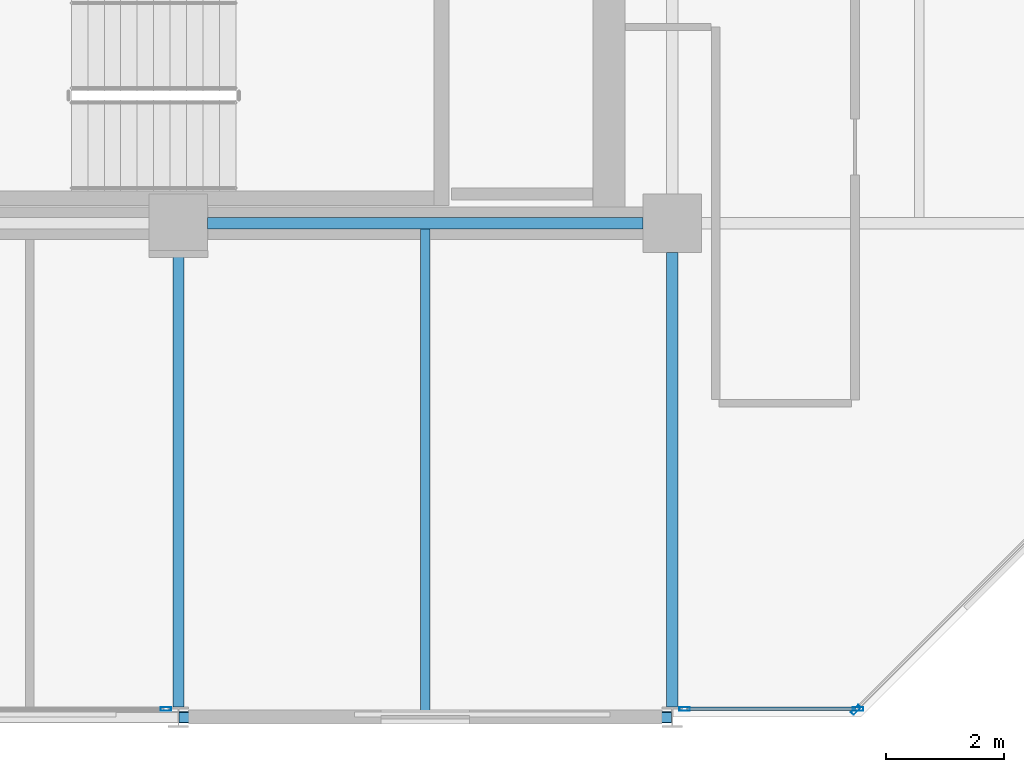
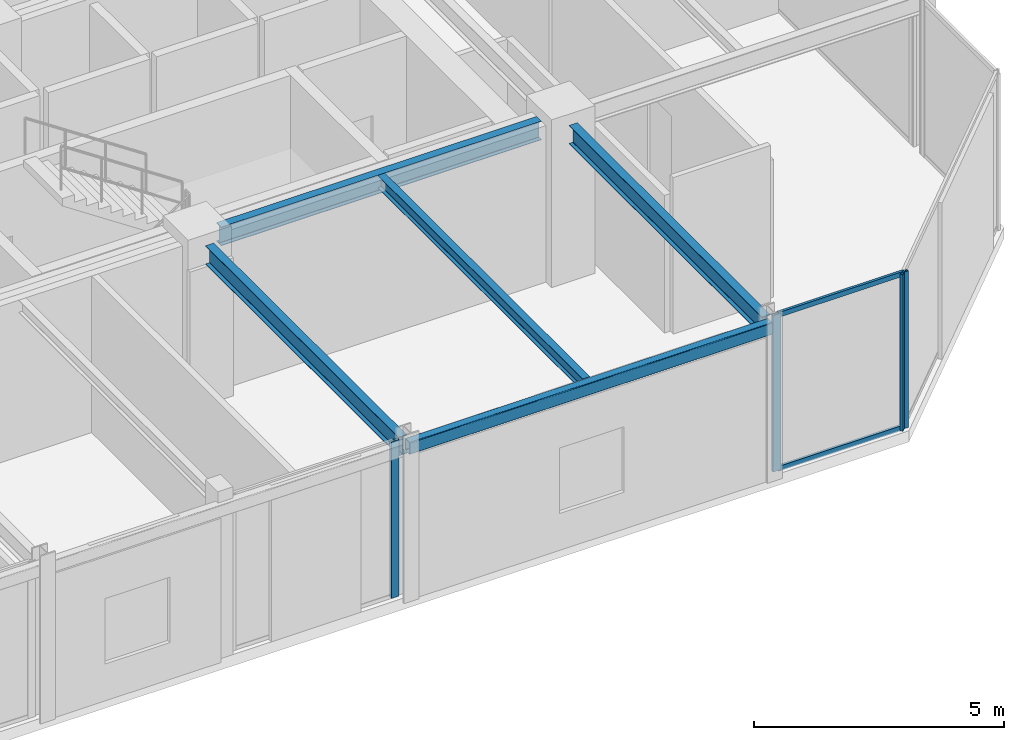
# One storey, part 11 of 29: 6 members, 5 beams, 3 elements without a shape of their own.
"""IFC4 building model written with IfcOpenShell, lengths in metres."""

import ifcopenshell
import ifcopenshell.guid

model = None  # the IFC model being written
_history = None  # IfcOwnerHistory: only IFC2X3 demands one
_inside = {}  # id of a spatial element -> (the spatial element, [elements in it])
_under = {}  # id of a project, library or spatial element -> (it, [spatial elements below it])
_declared = {}  # id of a project -> (the project, [libraries it declares])
_typed = {}  # id of a type object -> (the type object, [elements of that type])
_made_of = {}  # id of a material, layer set ... -> (it, [elements and type objects made of it])


def new_model(schema):
    """Start an empty IFC model of exactly this schema.

    Asked for "IFC4X3", IfcOpenShell would pick the latest addendum, in which some entities
    have other attributes; the version numbers below select the first issue.
    IFC2X3 requires an IfcOwnerHistory on every rooted entity: one is made here for all.
    """
    global model, _history
    if schema == "IFC4X3":
        model = ifcopenshell.file(schema_version=(4, 3, 0, 0))
    else:
        model = ifcopenshell.file(schema=schema)
    _inside.clear()
    _under.clear()
    _declared.clear()
    _typed.clear()
    _made_of.clear()
    _history = None
    if model.schema == "IFC2X3":
        org = make("IfcOrganization", Name="unknown")
        user = make(
            "IfcPersonAndOrganization",
            ThePerson=make("IfcPerson", FamilyName="unknown"),
            TheOrganization=org,
        )
        app = make(
            "IfcApplication",
            ApplicationDeveloper=org,
            Version="unknown",
            ApplicationFullName="unknown",
            ApplicationIdentifier="unknown",
        )
        _history = make(
            "IfcOwnerHistory",
            OwningUser=user,
            OwningApplication=app,
            ChangeAction="ADDED",
            CreationDate=0,
        )
    return model


def make(cls, **values):
    """One entity of the class cls with the attributes given. An attribute that is None is left unset."""
    return model.create_entity(
        cls, **{name: value for name, value in values.items() if value is not None}
    )


def rooted(cls, **values):
    """An entity with a GlobalId (a new one), such as an element, a storey or a relation."""
    return make(cls, GlobalId=ifcopenshell.guid.new(), OwnerHistory=_history, **values)


def si_unit(unit_type, name, prefix=None):
    """IfcSIUnit, for example si_unit("LENGTHUNIT", "METRE", prefix="MILLI")."""
    return make("IfcSIUnit", UnitType=unit_type, Prefix=prefix, Name=name)


def assignment(units):
    """IfcUnitAssignment: the units of a project."""
    return None if units is None else make("IfcUnitAssignment", Units=units)


def point(xyz):
    """IfcCartesianPoint."""
    return None if xyz is None else make("IfcCartesianPoint", Coordinates=xyz)


def direction(xyz):
    """IfcDirection."""
    return None if xyz is None else make("IfcDirection", DirectionRatios=xyz)


def frame(location, z_axis=None, x_axis=None):
    """IfcAxis2Placement3D, a coordinate frame: its origin and axes. An axis left out is left unset."""
    return make(
        "IfcAxis2Placement3D",
        Location=point(location),
        Axis=direction(z_axis),
        RefDirection=direction(x_axis),
    )


def frame_2d(location, x_axis=None):
    """IfcAxis2Placement2D, a coordinate frame in the plane: its origin and x axis."""
    return make(
        "IfcAxis2Placement2D", Location=point(location), RefDirection=direction(x_axis)
    )


def origin():
    """The frame at (0, 0, 0) with its axes left unset."""
    return frame((0.0, 0.0, 0.0))


def origin_2d():
    """The frame at (0, 0) in the plane with its x axis left unset."""
    return frame_2d((0.0, 0.0))


def place(relative_to, where):
    """IfcLocalPlacement: puts the frame where relative to a parent placement (None: the world)."""
    return make(
        "IfcLocalPlacement", PlacementRelTo=relative_to, RelativePlacement=where
    )


def context(
    kind, dimensions, precision=None, world=None, true_north=None, identifier=None
):
    """IfcGeometricRepresentationContext, for example the 3D "Model" context."""
    return make(
        "IfcGeometricRepresentationContext",
        ContextIdentifier=identifier,
        ContextType=kind,
        CoordinateSpaceDimension=dimensions,
        Precision=precision,
        WorldCoordinateSystem=world,
        TrueNorth=true_north,
    )


def subcontext(parent, identifier, kind, view, scale=None):
    """IfcGeometricRepresentationSubContext, for example "Body" below "Model"."""
    return make(
        "IfcGeometricRepresentationSubContext",
        ContextIdentifier=identifier,
        ContextType=kind,
        ParentContext=parent,
        TargetScale=scale,
        TargetView=view,
    )


def project(units=None, contexts=None):
    """IfcProject with its units and contexts."""
    return rooted(
        "IfcProject",
        Name="project",
        RepresentationContexts=contexts,
        UnitsInContext=assignment(units),
    )


def spatial(cls, under=None, at=None, **own):
    """A site, building, storey or space (cls), placed at a placement, below another one or the project."""
    s = rooted(cls, ObjectPlacement=at, **own)
    if under is not None:
        _under.setdefault(under.id(), (under, []))[1].append(s)
    return s


def profile(cls, at=None, kind="AREA", **sizes):
    """A parametric profile (cls). Its sizes go by their IFC names, for example OverallWidth=200.0."""
    return make(cls, ProfileType=kind, Position=at, **sizes)


def hollow_rectangle(**sizes):
    """IfcRectangleHollowProfileDef."""
    return profile("IfcRectangleHollowProfileDef", **sizes)


def i_section(**sizes):
    """IfcIShapeProfileDef."""
    return profile("IfcIShapeProfileDef", **sizes)


def extrude(swept, where, along, depth):
    """IfcExtrudedAreaSolid: the profile swept, set in the frame where, extruded along a direction by depth."""
    return make(
        "IfcExtrudedAreaSolid",
        SweptArea=swept,
        Position=where,
        ExtrudedDirection=direction(along),
        Depth=depth,
    )


def shape(context_of_items, identifier, shape_type, items):
    """IfcShapeRepresentation: the items that make up one representation, for example the "Body"."""
    return make(
        "IfcShapeRepresentation",
        ContextOfItems=context_of_items,
        RepresentationIdentifier=identifier,
        RepresentationType=shape_type,
        Items=items,
    )


def material(Name=None, Category=None):
    """IfcMaterial."""
    return make("IfcMaterial", Name=Name, Category=Category)


def layer(
    of_material, thickness, ventilated=None, Name=None, Category=None, Priority=None
):
    """IfcMaterialLayer: one layer of a wall or slab, of a material (None: an air gap)."""
    return make(
        "IfcMaterialLayer",
        Material=of_material,
        LayerThickness=thickness,
        IsVentilated=ventilated,
        Name=Name,
        Category=Category,
        Priority=Priority,
    )


def layer_set(layers, Name=None):
    """IfcMaterialLayerSet."""
    return make("IfcMaterialLayerSet", MaterialLayers=layers, LayerSetName=Name)


def material_profile(
    of_material, cross_section, Name=None, Category=None, Priority=None
):
    """IfcMaterialProfile: a cross section and its material."""
    return make(
        "IfcMaterialProfile",
        Name=Name,
        Material=of_material,
        Profile=cross_section,
        Priority=Priority,
        Category=Category,
    )


def profile_set(profiles, Name=None, composite=None):
    """IfcMaterialProfileSet."""
    return make(
        "IfcMaterialProfileSet",
        Name=Name,
        MaterialProfiles=profiles,
        CompositeProfile=composite,
    )


def made_of(thing, what):
    """Note that an element or type object is made of a material, layer set ...; save() writes the relation."""
    if what is not None:
        _made_of.setdefault(what.id(), (what, []))[1].append(thing)
    return thing


def type_object(cls, material=None, **own):
    """A type object (cls), such as IfcWallType, which elements share."""
    return made_of(rooted(cls, **own), material)


def element(
    cls,
    number,
    at=None,
    inside=None,
    cuts=None,
    type_object=None,
    material=None,
    context=None,
    identifier="Body",
    shape_type=None,
    held_by="IfcProductDefinitionShape",
    body=None,
    shapes=None,
    **own,
):
    """One element of the class cls, such as IfcWall. Its Tag is "e" and its number.

    at: its placement. inside: the storey or other place that contains it. cuts: it is an
    opening in that element (IfcRelVoidsElement). A single representation is given by context,
    identifier, shape_type and body (its items); several are given by shapes. held_by: the class
    of the entity that holds the representations. save() writes the other relations.
    """
    e = rooted(cls, Tag="e%d" % number, ObjectPlacement=at, **own)
    if body is not None:
        shapes = [shape(context, identifier, shape_type, body)]
    if shapes is not None:
        e.Representation = make(held_by, Representations=shapes)
    if inside is not None:
        _inside.setdefault(inside.id(), (inside, []))[1].append(e)
    if cuts is not None:
        rooted(
            "IfcRelVoidsElement", RelatingBuildingElement=cuts, RelatedOpeningElement=e
        )
    if type_object is not None:
        _typed.setdefault(type_object.id(), (type_object, []))[1].append(e)
    return made_of(e, material)


def aggregate(whole, parts):
    """IfcRelAggregates: a whole, such as a stair, and the parts it consists of."""
    return rooted("IfcRelAggregates", RelatingObject=whole, RelatedObjects=parts)


def save(model, path):
    """Write the relations noted so far, then the file.

    IfcRelAggregates (storeys below a building ...), IfcRelContainedInSpatialStructure (elements
    in a storey), IfcRelDefinesByType, IfcRelAssociatesMaterial and IfcRelDeclares: one each for
    every whole, place, type object, material and project.
    """
    for whole, parts in _under.values():
        aggregate(whole, parts)
    for where, things in _inside.values():
        rooted(
            "IfcRelContainedInSpatialStructure",
            RelatedElements=things,
            RelatingStructure=where,
        )
    for kind, things in _typed.values():
        rooted("IfcRelDefinesByType", RelatedObjects=things, RelatingType=kind)
    for what, things in _made_of.values():
        rooted("IfcRelAssociatesMaterial", RelatedObjects=things, RelatingMaterial=what)
    for by, libraries in _declared.values():
        rooted("IfcRelDeclares", RelatingContext=by, RelatedDefinitions=libraries)
    model.write(path)


model = new_model("IFC4")

# Units and contexts
model_context = context("Model", 3, precision=1e-05, world=origin(), true_north=direction((0.0, 1.0)))
body_context = subcontext(model_context, "Body", "Model", "MODEL_VIEW")
ifc_project = project(units=[si_unit("LENGTHUNIT", "METRE"), si_unit("AREAUNIT", "SQUARE_METRE"), si_unit("VOLUMEUNIT", "CUBIC_METRE"), si_unit("PLANEANGLEUNIT", "RADIAN"), si_unit("MASSUNIT", "GRAM", prefix="KILO")], contexts=[model_context])

# Site, building, storey
site_placement = place(None, origin())
site = spatial("IfcSite", under=ifc_project, at=site_placement, CompositionType="ELEMENT")
building_placement = place(site_placement, origin())
building = spatial("IfcBuilding", under=site, at=building_placement, Name="Nerrivon Quay Data Exchange", CompositionType="ELEMENT")
storey_placement = place(building_placement, frame((0.0, 0.0, 208.300048828125)))
storey = spatial("IfcBuildingStorey", under=building, at=storey_placement, Name="L49", CompositionType="ELEMENT", Elevation=208.300048828125)

# Beams
ifc_material_1 = material(Name="Steel Grade 350", Category="steel")
ifc_material_profile_1 = material_profile(ifc_material_1, i_section(OverallWidth=0.19091796875, OverallDepth=0.4599609375, WebThickness=0.010009765625, FlangeThickness=0.01611328125, FilletRadius=0.011474609375, at=origin_2d()), Name="460UB82.1")
ifc_profile_set_1 = profile_set([ifc_material_profile_1], Name="Steel Grade 350")
beam_type_1 = type_object("IfcBeamType", Name="BM-G5-460UB82", PredefinedType="BEAM", material=ifc_profile_set_1)
beam_1_placement = place(storey_placement, frame((25.699951171875, 8.39990234375, 3.594970703125), z_axis=(1.0, 0.0, 0.0), x_axis=(0.0, 1.0, 0.0)))
element("IfcBeam", 1, at=beam_1_placement, inside=storey, type_object=beam_type_1, Name="L49 EW Girder Y=8.4 (25.2..33.6)", PredefinedType="BEAM", context=body_context, shape_type="SweptSolid", body=[
    extrude(i_section(OverallWidth=0.19091796875, OverallDepth=0.4599609375, WebThickness=0.010009765625, FlangeThickness=0.01611328125, FilletRadius=0.011474609375, at=origin_2d()), origin(), (0.0, 0.0, 1.0), 7.400146484375),
])
ifc_material_profile_2 = material_profile(ifc_material_1, i_section(OverallWidth=0.18994140625, OverallDepth=0.4541015625, WebThickness=0.008544921875, FlangeThickness=0.0126953125, FilletRadius=0.011474609375, at=origin_2d()), Name="460UB67.1")
ifc_profile_set_2 = profile_set([ifc_material_profile_2], Name="Steel Grade 350")
beam_type_2 = type_object("IfcBeamType", Name="BM-G6-460UB67", PredefinedType="BEAM", material=ifc_profile_set_2)
for number, where, z_axis, x_axis, name in (
    (2, (25.199951171875, 0.175048828125, 3.597900390625), (0.0, 1.0, 0.0), (-1.0, 0.0, 0.0), "L49 NS Girder X=25.2 (0.0..8.4)"),
    (3, (33.60009765625, 0.175048828125, 3.597900390625), (0.0, 1.0, 0.0), (-1.0, 0.0, 0.0), "L49 NS Girder X=33.6 (0.0..8.4)"),
):
    element("IfcBeam", number, at=place(storey_placement, frame(where, z_axis=z_axis, x_axis=x_axis)), inside=storey, type_object=beam_type_2, Name=name, PredefinedType="BEAM", context=body_context, shape_type="SweptSolid", body=[
        extrude(i_section(OverallWidth=0.18994140625, OverallDepth=0.4541015625, WebThickness=0.008544921875, FlangeThickness=0.0126953125, FilletRadius=0.011474609375, at=origin_2d()), origin(), (0.0, 0.0, 1.0), 7.724853515625),
    ])
ifc_material_profile_3 = material_profile(ifc_material_1, i_section(OverallWidth=0.166015625, OverallDepth=0.306884765625, WebThickness=0.006591796875, FlangeThickness=0.01171875, FilletRadius=0.011474609375, at=origin_2d()), Name="310UB46.2")
ifc_profile_set_3 = profile_set([ifc_material_profile_3], Name="Steel Grade 350")
beam_type_3 = type_object("IfcBeamType", Name="BM-J5-310UB46", PredefinedType="JOIST", material=ifc_profile_set_3)
beam_2_placement = place(storey_placement, frame((29.39990234375, 0.10009765625, 3.67138671875), z_axis=(0.0, 1.0, 0.0), x_axis=(-1.0, 0.0, 0.0)))
element("IfcBeam", 4, at=beam_2_placement, inside=storey, type_object=beam_type_3, Name="L49 Secondary Joist X=29.4 (0.0..8.4)", PredefinedType="JOIST", context=body_context, shape_type="SweptSolid", body=[
    extrude(i_section(OverallWidth=0.166015625, OverallDepth=0.306884765625, WebThickness=0.006591796875, FlangeThickness=0.01171875, FilletRadius=0.011474609375, at=origin_2d()), origin(), (0.0, 0.0, 1.0), 8.204345703125),
])
ifc_material_2 = material(Name="Steel Grade C350L0 (350 MPa)", Category="steel")
ifc_material_profile_4 = material_profile(ifc_material_2, hollow_rectangle(XDim=0.199951171875, YDim=0.300048828125, WallThickness=0.012451171875, InnerFilletRadius=0.018798828125, OuterFilletRadius=0.03125, at=origin_2d()), Name="300x200x12.5RHS")
ifc_profile_set_4 = profile_set([ifc_material_profile_4], Name="Steel Grade C350L0 (350 MPa)")
beam_type_4 = type_object("IfcBeamType", Name="BM-SP3-300x200RHS", PredefinedType="SPANDREL", material=ifc_profile_set_4)
beam_3_placement = place(storey_placement, frame((25.2099609375, 0.0, 3.675048828125), z_axis=(1.0, 0.0, 0.0), x_axis=(0.0, 1.0, 0.0)))
element("IfcBeam", 5, at=beam_3_placement, inside=storey, type_object=beam_type_4, Name="L49 EW Girder Y=0.0 (25.2..33.6)", PredefinedType="SPANDREL", context=body_context, shape_type="SweptSolid", body=[
    extrude(hollow_rectangle(XDim=0.199951171875, YDim=0.300048828125, WallThickness=0.012451171875, InnerFilletRadius=0.018798828125, OuterFilletRadius=0.03125, at=origin_2d()), origin(), (0.0, 0.0, 1.0), 8.380126953125),
])

# Curtain wall, member
ifc_material_3 = material(Name="Anodised aluminium 6063-T6", Category="aluminium")
ifc_layer = layer(ifc_material_3, 0.195068359375)
ifc_layer_set = layer_set([ifc_layer], Name="Anodised aluminium 6063-T6")
curtain_wall_type = type_object("IfcCurtainWallType", Name="CW-SYS-06", PredefinedType="NOTDEFINED", material=ifc_layer_set)
curtain_wall_1_placement = place(storey_placement, origin())
curtain_wall_1 = element("IfcCurtainWall", 6, at=curtain_wall_1_placement, inside=storey, type_object=curtain_wall_type, Name="L49 Unitised Curtain Wall 21", PredefinedType="NOTDEFINED")
ifc_material_profile_5 = material_profile(ifc_material_3, hollow_rectangle(XDim=0.06494140625, YDim=0.179931640625, WallThickness=0.00341796875, at=origin_2d()), Name="ALU-MULL-180x65")
ifc_profile_set_5 = profile_set([ifc_material_profile_5], Name="Anodised aluminium 6063-T6")
member_type_1 = type_object("IfcMemberType", Name="CWM-180x65", PredefinedType="MULLION", material=ifc_profile_set_5)
member_1_placement = place(storey_placement, frame((36.7275390625, 0.12548828125, 0.0), z_axis=(0.0, 0.0, 1.0), x_axis=(0.707106781187, -0.707106781187, 0.0)))
member_1 = element("IfcMember", 7, at=member_1_placement, type_object=member_type_1, Name="CW06 mullion 2", PredefinedType="MULLION", context=body_context, shape_type="SweptSolid", body=[
    extrude(hollow_rectangle(XDim=0.06494140625, YDim=0.179931640625, WallThickness=0.00341796875, at=origin_2d()), origin(), (0.0, 0.0, 1.0), 3.824951171875),
])
aggregate(curtain_wall_1, [member_1])

# Curtain wall, members
curtain_wall_2_placement = place(storey_placement, origin())
curtain_wall_2 = element("IfcCurtainWall", 8, at=curtain_wall_2_placement, inside=storey, type_object=curtain_wall_type, Name="L49 Unitised Curtain Wall 22", PredefinedType="NOTDEFINED")
member_2_placement = place(storey_placement, frame((36.762451171875, 0.139892578125, 0.0), z_axis=(0.0, 0.0, 1.0), x_axis=(0.0, -1.0, 0.0)))
member_2 = element("IfcMember", 9, at=member_2_placement, type_object=member_type_1, Name="CW06 mullion 1", PredefinedType="MULLION", context=body_context, shape_type="SweptSolid", body=[
    extrude(hollow_rectangle(XDim=0.06494140625, YDim=0.179931640625, WallThickness=0.00341796875, at=origin_2d()), origin(), (0.0, 0.0, 1.0), 3.824951171875),
])
member_3_placement = place(storey_placement, frame((33.8125, 0.139892578125, 0.0), z_axis=(0.0, 0.0, 1.0), x_axis=(0.0, -1.0, 0.0)))
member_3 = element("IfcMember", 10, at=member_3_placement, type_object=member_type_1, Name="CW06 mullion 2", PredefinedType="MULLION", context=body_context, shape_type="SweptSolid", body=[
    extrude(hollow_rectangle(XDim=0.06494140625, YDim=0.179931640625, WallThickness=0.00341796875, at=origin_2d()), origin(), (0.0, 0.0, 1.0), 3.824951171875),
])

# Curtain wall, member
curtain_wall_3_placement = place(storey_placement, origin())
curtain_wall_3 = element("IfcCurtainWall", 11, at=curtain_wall_3_placement, inside=storey, type_object=curtain_wall_type, Name="L49 Unitised Curtain Wall 24", PredefinedType="NOTDEFINED")
member_4_placement = place(storey_placement, frame((24.987548828125, 0.139892578125, 0.0), z_axis=(0.0, 0.0, 1.0), x_axis=(0.0, -1.0, 0.0)))
member_4 = element("IfcMember", 12, at=member_4_placement, type_object=member_type_1, Name="CW06 mullion 1", PredefinedType="MULLION", context=body_context, shape_type="SweptSolid", body=[
    extrude(hollow_rectangle(XDim=0.06494140625, YDim=0.179931640625, WallThickness=0.00341796875, at=origin_2d()), origin(), (0.0, 0.0, 1.0), 3.824951171875),
])
aggregate(curtain_wall_3, [member_4])

# Member
ifc_material_profile_6 = material_profile(ifc_material_3, hollow_rectangle(XDim=0.06005859375, YDim=0.1201171875, WallThickness=0.003173828125, at=origin_2d()), Name="ALU-TRAN-120x60")
ifc_profile_set_6 = profile_set([ifc_material_profile_6], Name="Anodised aluminium 6063-T6")
member_type_2 = type_object("IfcMemberType", Name="CWT-120x60", PredefinedType="USERDEFINED", material=ifc_profile_set_6)
member_5_placement = place(storey_placement, frame((36.72509765625, 0.139892578125, 0.032470703125), z_axis=(-1.0, 0.0, 0.0), x_axis=(0.0, -1.0, 0.0)))
member_5 = element("IfcMember", 13, at=member_5_placement, type_object=member_type_2, Name="CW06 transom 1.1", ObjectType="TRANSOM", PredefinedType="USERDEFINED", context=body_context, shape_type="SweptSolid", body=[
    extrude(hollow_rectangle(XDim=0.06005859375, YDim=0.1201171875, WallThickness=0.003173828125, at=origin_2d()), origin(), (0.0, 0.0, 1.0), 2.875),
])

member_6_placement = place(storey_placement, frame((36.72509765625, 0.139892578125, 3.79248046875), z_axis=(-1.0, 0.0, 0.0), x_axis=(0.0, -1.0, 0.0)))
member_6 = element("IfcMember", 14, at=member_6_placement, type_object=member_type_2, Name="CW06 transom 1.2", ObjectType="TRANSOM", PredefinedType="USERDEFINED", context=body_context, shape_type="SweptSolid", body=[
    extrude(hollow_rectangle(XDim=0.06005859375, YDim=0.1201171875, WallThickness=0.003173828125, at=origin_2d()), origin(), (0.0, 0.0, 1.0), 2.875),
])

aggregate(curtain_wall_2, [member_2, member_3, member_5, member_6])

save(model, "model.ifc")
